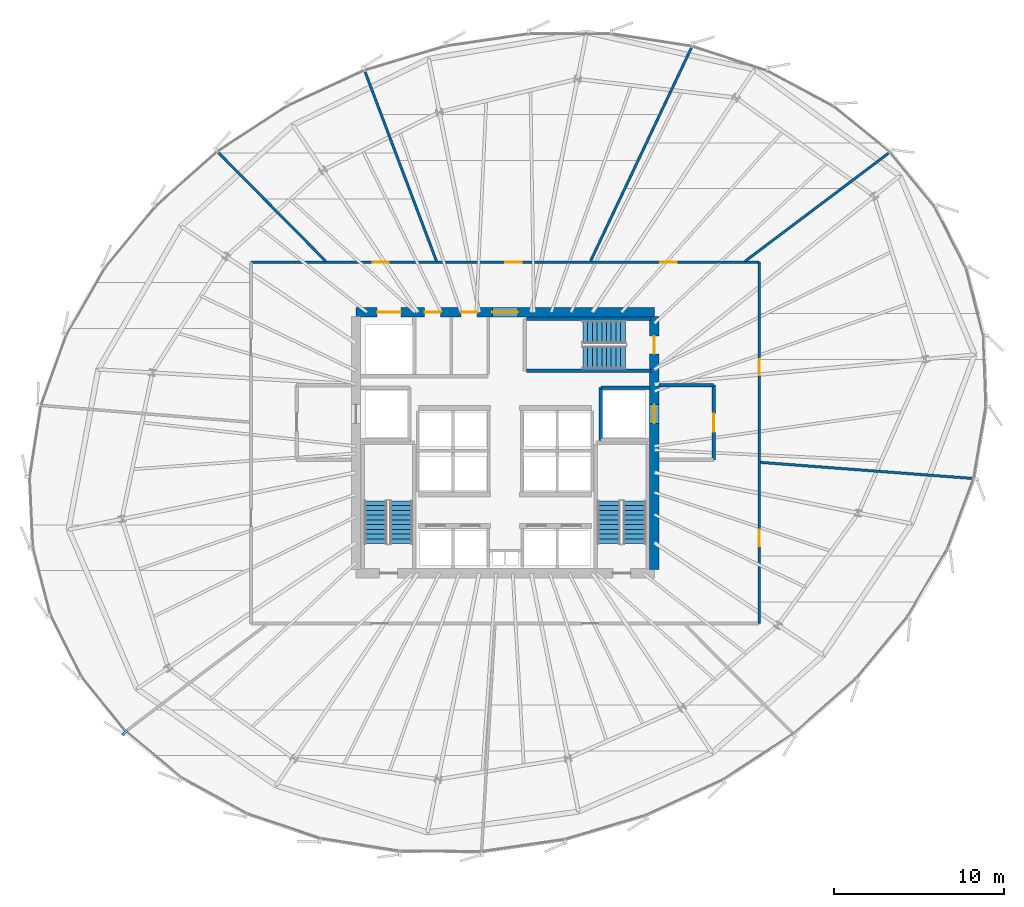
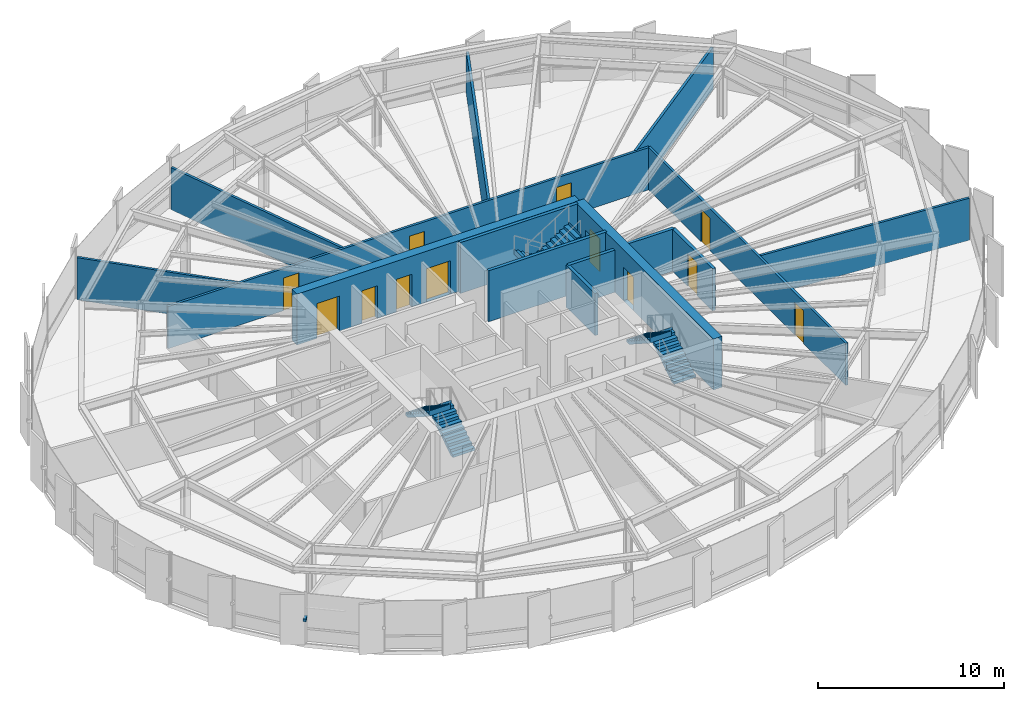
# One storey, part 28 of 33: 15 walls, 12 doors, 6 stair flights, 1 discrete accessory, 12 openings, 3 elements without a shape of their own.
"""IFC4 building model written with IfcOpenShell, lengths in metres."""

from ifc_helpers import new_model, si_unit, direction, frame, frame_2d, origin, origin_2d, place, context, subcontext, project, spatial, polyline, rectangle, outline, extrude, source, transform, mapped, material, layer, layer_set, type_object, element, fill, aggregate, save


model = new_model("IFC4")

# Units and contexts
model_context = context("Model", 3, precision=1e-05, world=origin(), true_north=direction((0.0, 1.0)))
body_context = subcontext(model_context, "Body", "Model", "MODEL_VIEW")
ifc_project = project(units=[si_unit("LENGTHUNIT", "METRE"), si_unit("AREAUNIT", "SQUARE_METRE"), si_unit("VOLUMEUNIT", "CUBIC_METRE"), si_unit("PLANEANGLEUNIT", "RADIAN"), si_unit("MASSUNIT", "GRAM", prefix="KILO"), si_unit("THERMODYNAMICTEMPERATUREUNIT", "KELVIN")], contexts=[model_context])

# Site, building, storey
site_placement = place(None, origin())
site = spatial("IfcSite", under=ifc_project, at=site_placement, CompositionType="ELEMENT")
building_placement = place(site_placement, origin())
building = spatial("IfcBuilding", under=site, at=building_placement, Name="Kethvar Cultural Tower", CompositionType="ELEMENT")
storey_placement = place(building_placement, frame((0.0, 0.0, 118.0)))
storey = spatial("IfcBuildingStorey", under=building, at=storey_placement, Name="L29", CompositionType="ELEMENT", Elevation=118.0)

# Wall, openings, doors
ifc_material_1 = material(Name="Concrete C60/75", Category="concrete")
ifc_layer_1 = layer(ifc_material_1, 0.550048828125, Name="Concrete C60/75", Category="concrete")
ifc_layer_set_1 = layer_set([ifc_layer_1], Name="Concrete C60/75 (550 mm)")
wall_type_1 = type_object("IfcWallType", Name="WL-CORE-550", PredefinedType="SHEAR", material=ifc_layer_set_1)
wall_1_placement = place(storey_placement, frame((55.60009765625, 35.5, 0.0), z_axis=(0.0, 0.0, 1.0), x_axis=(-1.0, 0.0, 0.0)))
wall_1 = element("IfcWall", 1, at=wall_1_placement, inside=storey, type_object=wall_type_1, Name="L29 Core Shear Wall N", PredefinedType="SHEAR", context=body_context, shape_type="SweptSolid", body=[
    extrude(rectangle(XDim=17.60009765625, YDim=0.550048828125, at=frame_2d((8.800048828125, 0.0))), origin(), (0.0, 0.0, 1.0), 3.35009765625),
])
opening_1_placement = place(wall_1_placement, frame((8.050048828125, 0.0, 0.0)))
opening_1 = element("IfcOpeningElement", 2, at=opening_1_placement, cuts=wall_1, Name="Opening D-L29-LN", PredefinedType="OPENING", context=body_context, shape_type="SweptSolid", body=[
    extrude(rectangle(XDim=1.5, YDim=2.199951171875, at=frame_2d((0.75, 1.10009765625))), frame((0.0, 0.284912109375, 0.0), z_axis=(0.0, -1.0, 0.0), x_axis=(1.0, 0.0, 0.0)), (0.0, 0.0, 1.0), 0.570068359375),
])
opening_2_placement = place(wall_1_placement, frame((14.949951171875, 0.0, 0.0)))
opening_2 = element("IfcOpeningElement", 3, at=opening_2_placement, cuts=wall_1, Name="Opening LD-G1", PredefinedType="OPENING", context=body_context, shape_type="SweptSolid", body=[
    extrude(rectangle(XDim=1.39990234375, YDim=2.300048828125, at=frame_2d((0.699951171875, 1.14990234375))), frame((0.0, 0.284912109375, 0.0), z_axis=(0.0, -1.0, 0.0), x_axis=(1.0, 0.0, 0.0)), (0.0, 0.0, 1.0), 0.570068359375),
])
opening_3_placement = place(wall_1_placement, frame((12.60009765625, 0.0, 0.0)))
opening_3 = element("IfcOpeningElement", 4, at=opening_3_placement, cuts=wall_1, Name="Opening D-L29-W1", PredefinedType="OPENING", context=body_context, shape_type="SweptSolid", body=[
    extrude(rectangle(XDim=0.949951171875, YDim=2.14990234375, at=frame_2d((0.47509765625, 1.074951171875))), frame((0.0, 0.284912109375, 0.0), z_axis=(0.0, -1.0, 0.0), x_axis=(1.0, 0.0, 0.0)), (0.0, 0.0, 1.0), 0.570068359375),
])
opening_4_placement = place(wall_1_placement, frame((10.449951171875, 0.0, 0.0)))
opening_4 = element("IfcOpeningElement", 5, at=opening_4_placement, cuts=wall_1, Name="Opening D-L29-W2", PredefinedType="OPENING", context=body_context, shape_type="SweptSolid", body=[
    extrude(rectangle(XDim=0.949951171875, YDim=2.14990234375, at=frame_2d((0.47509765625, 1.074951171875))), frame((0.0, 0.284912109375, 0.0), z_axis=(0.0, -1.0, 0.0), x_axis=(1.0, 0.0, 0.0)), (0.0, 0.0, 1.0), 0.570068359375),
])
ifc_material_2 = material(Name="Architectural Oak Timber", Category="wood")
door_type_1 = type_object("IfcDoorType", Name="DR-DBL-FD60-1500", OperationType="DOUBLE_DOOR_SINGLE_SWING", PredefinedType="DOOR", material=ifc_material_2)
shared_shape_1 = source(origin(), body_context, "Body", "SweptSolid", [
    extrude(rectangle(XDim=1.5, YDim=2.199951171875, at=frame_2d((0.75, 1.10009765625))), frame((0.0, 0.02490234375, 0.0), z_axis=(0.0, -1.0, 0.0), x_axis=(1.0, 0.0, 0.0)), (0.0, 0.0, 1.0), 0.050048828125),
])
door_1_placement = place(opening_1_placement, origin())
door_1 = element("IfcDoor", 6, at=door_1_placement, inside=storey, type_object=door_type_1, Name="L29 Lift Lobby Concourse Door", OperationType="DOUBLE_DOOR_SINGLE_SWING", OverallHeight=2.199951171875, OverallWidth=1.5, PredefinedType="DOOR", context=body_context, shape_type="MappedRepresentation", body=[
    mapped(shared_shape_1, transform((0.0, 0.0, 0.0), scale=1.0)),
])
fill(opening_1, door_1)
ifc_material_3 = material(Name="Steel S355J2", Category="steel")
door_type_2 = type_object("IfcDoorType", Name="DR-LIFT-SLIDE-1400", OperationType="NOTDEFINED", PredefinedType="DOOR", material=ifc_material_3)
shared_shape_2 = source(origin(), body_context, "Body", "SweptSolid", [
    extrude(rectangle(XDim=1.39990234375, YDim=2.300048828125, at=frame_2d((0.699951171875, 1.14990234375))), frame((0.0, 0.02490234375, 0.0), z_axis=(0.0, -1.0, 0.0), x_axis=(1.0, 0.0, 0.0)), (0.0, 0.0, 1.0), 0.050048828125),
])
door_2_placement = place(opening_2_placement, origin())
door_2 = element("IfcDoor", 7, at=door_2_placement, inside=storey, type_object=door_type_2, Name="L29 Goods Lift Landing Door", OperationType="SLIDING_TO_RIGHT", OverallHeight=2.300048828125, OverallWidth=1.39990234375, PredefinedType="DOOR", context=body_context, shape_type="MappedRepresentation", body=[
    mapped(shared_shape_2, transform((0.0, 0.0, 0.0), scale=1.0)),
])
fill(opening_2, door_2)
door_type_3 = type_object("IfcDoorType", Name="DR-FD30-950", OperationType="NOTDEFINED", PredefinedType="DOOR", material=ifc_material_2)
shared_shape_3 = source(origin(), body_context, "Body", "SweptSolid", [
    extrude(rectangle(XDim=0.949951171875, YDim=2.14990234375, at=frame_2d((0.47509765625, 1.074951171875))), frame((0.0, 0.02490234375, 0.0), z_axis=(0.0, -1.0, 0.0), x_axis=(1.0, 0.0, 0.0)), (0.0, 0.0, 1.0), 0.050048828125),
])
door_3_placement = place(opening_3_placement, origin())
door_3 = element("IfcDoor", 8, at=door_3_placement, inside=storey, type_object=door_type_3, Name="L29 Accessible Washroom Door", OperationType="SINGLE_SWING_LEFT", OverallHeight=2.14990234375, OverallWidth=0.949951171875, PredefinedType="DOOR", context=body_context, shape_type="MappedRepresentation", body=[
    mapped(shared_shape_3, transform((0.0, 0.0, 0.0), scale=1.0)),
])
fill(opening_3, door_3)
door_4_placement = place(opening_4_placement, origin())
door_4 = element("IfcDoor", 9, at=door_4_placement, inside=storey, type_object=door_type_3, Name="L29 Public Washroom Door", OperationType="SINGLE_SWING_RIGHT", OverallHeight=2.14990234375, OverallWidth=0.949951171875, PredefinedType="DOOR", context=body_context, shape_type="MappedRepresentation", body=[
    mapped(shared_shape_3, transform((0.0, 0.0, 0.0), scale=1.0)),
])
fill(opening_4, door_4)

wall_2_placement = place(storey_placement, frame((55.60009765625, 20.340087890625, 0.0), z_axis=(0.0, 0.0, 1.0), x_axis=(0.0, 1.0, 0.0)))
wall_2 = element("IfcWall", 10, at=wall_2_placement, inside=storey, type_object=wall_type_1, Name="L29 Core Shear Wall E", PredefinedType="SHEAR", context=body_context, shape_type="SweptSolid", body=[
    extrude(rectangle(XDim=14.919921875, YDim=0.550048828125, at=frame_2d((7.4599609375, 0.0))), origin(), (0.0, 0.0, 1.0), 3.35009765625),
])
opening_5_placement = place(wall_2_placement, frame((12.7099609375, 0.0, 0.0)))
opening_5 = element("IfcOpeningElement", 11, at=opening_5_placement, cuts=wall_2, Name="Opening D-L29-S3", PredefinedType="OPENING", context=body_context, shape_type="SweptSolid", body=[
    extrude(rectangle(XDim=1.050048828125, YDim=2.14990234375, at=frame_2d((0.52490234375, 1.074951171875))), frame((0.0, 0.284912109375, 0.0), z_axis=(0.0, -1.0, 0.0), x_axis=(1.0, 0.0, 0.0)), (0.0, 0.0, 1.0), 0.570068359375),
])
opening_6_placement = place(wall_2_placement, frame((8.610107421875, 0.0, 0.0)))
opening_6 = element("IfcOpeningElement", 12, at=opening_6_placement, cuts=wall_2, Name="Opening LD-2", PredefinedType="OPENING", context=body_context, shape_type="SweptSolid", body=[
    extrude(rectangle(XDim=1.10009765625, YDim=2.199951171875, at=frame_2d((0.550048828125, 1.10009765625))), frame((0.0, 0.284912109375, 0.0), z_axis=(0.0, -1.0, 0.0), x_axis=(1.0, 0.0, 0.0)), (0.0, 0.0, 1.0), 0.570068359375),
])
door_type_4 = type_object("IfcDoorType", Name="DR-FD60-1050", OperationType="NOTDEFINED", PredefinedType="DOOR", material=ifc_material_3)
shared_shape_4 = source(origin(), body_context, "Body", "SweptSolid", [
    extrude(rectangle(XDim=1.050048828125, YDim=2.14990234375, at=frame_2d((0.52490234375, 1.074951171875))), frame((0.0, 0.02490234375, 0.0), z_axis=(0.0, -1.0, 0.0), x_axis=(1.0, 0.0, 0.0)), (0.0, 0.0, 1.0), 0.050048828125),
])
door_5_placement = place(opening_5_placement, origin())
door_5 = element("IfcDoor", 13, at=door_5_placement, inside=storey, type_object=door_type_4, Name="L29 Exit Stair 3 Door", OperationType="SINGLE_SWING_LEFT", OverallHeight=2.14990234375, OverallWidth=1.050048828125, PredefinedType="DOOR", context=body_context, shape_type="MappedRepresentation", body=[
    mapped(shared_shape_4, transform((0.0, 0.0, 0.0), scale=1.0)),
])
fill(opening_5, door_5)
door_type_5 = type_object("IfcDoorType", Name="DR-LIFT-SLIDE-1100", OperationType="NOTDEFINED", PredefinedType="DOOR", material=ifc_material_3)
shared_shape_5 = source(origin(), body_context, "Body", "SweptSolid", [
    extrude(rectangle(XDim=1.10009765625, YDim=2.199951171875, at=frame_2d((0.550048828125, 1.10009765625))), frame((0.0, 0.02490234375, 0.0), z_axis=(0.0, -1.0, 0.0), x_axis=(1.0, 0.0, 0.0)), (0.0, 0.0, 1.0), 0.050048828125),
])
door_6_placement = place(opening_6_placement, origin())
door_6 = element("IfcDoor", 14, at=door_6_placement, inside=storey, type_object=door_type_5, Name="L29 Firefighting Lift Landing Door FFL-02", OperationType="SLIDING_TO_RIGHT", OverallHeight=2.199951171875, OverallWidth=1.10009765625, PredefinedType="DOOR", context=body_context, shape_type="MappedRepresentation", body=[
    mapped(shared_shape_5, transform((0.0, 0.0, 0.0), scale=1.0)),
])
fill(opening_6, door_6)

ifc_material_4 = material(Name="Gypsum Fireboard Partition")
ifc_layer_2 = layer(ifc_material_4, 0.14990234375, Name="Gypsum Fireboard Partition")
ifc_layer_set_2 = layer_set([ifc_layer_2], Name="Gypsum Fireboard Partition (150 mm)")
wall_type_2 = type_object("IfcWallType", Name="WL-FIRE-150", PredefinedType="PARTITIONING", material=ifc_layer_set_2)
wall_3_placement = place(storey_placement, frame((61.7900390625, 17.139892578125, 0.0), z_axis=(0.0, 0.0, 1.0), x_axis=(0.0, 1.0, 0.0)))
wall_3 = element("IfcWall", 15, at=wall_3_placement, inside=storey, type_object=wall_type_2, Name="L29 Corridor Rated Wall E", PredefinedType="PARTITIONING", context=body_context, shape_type="SweptSolid", body=[
    extrude(rectangle(XDim=21.320068359375, YDim=0.14990234375, at=frame_2d((10.66015625, 0.0))), origin(), (0.0, 0.0, 1.0), 2.77490234375),
])
opening_7_placement = place(wall_3_placement, frame((4.570556640625, 0.0, 0.0)))
opening_7 = element("IfcOpeningElement", 16, at=opening_7_placement, cuts=wall_3, Name="Opening D-L29-03", PredefinedType="OPENING", context=body_context, shape_type="SweptSolid", body=[
    extrude(rectangle(XDim=0.949951171875, YDim=2.14990234375, at=frame_2d((0.47509765625, 1.074951171875))), frame((0.0, 0.0849609375, 0.0), z_axis=(0.0, -1.0, 0.0), x_axis=(1.0, 0.0, 0.0)), (0.0, 0.0, 1.0), 0.169921875),
])
opening_8_placement = place(wall_3_placement, frame((14.650146484375, 0.0, 0.0)))
opening_8 = element("IfcOpeningElement", 17, at=opening_8_placement, cuts=wall_3, Name="Opening D-L29-04", PredefinedType="OPENING", context=body_context, shape_type="SweptSolid", body=[
    extrude(rectangle(XDim=0.949951171875, YDim=2.14990234375, at=frame_2d((0.47509765625, 1.074951171875))), frame((0.0, 0.0849609375, 0.0), z_axis=(0.0, -1.0, 0.0), x_axis=(1.0, 0.0, 0.0)), (0.0, 0.0, 1.0), 0.169921875),
])
door_7_placement = place(opening_7_placement, origin())
door_7 = element("IfcDoor", 18, at=door_7_placement, inside=storey, type_object=door_type_3, Name="L29 Poster Edition Shop 03 Door", OperationType="SINGLE_SWING_RIGHT", OverallHeight=2.14990234375, OverallWidth=0.949951171875, PredefinedType="DOOR", context=body_context, shape_type="MappedRepresentation", body=[
    mapped(shared_shape_3, transform((0.0, 0.0, 0.0), scale=1.0)),
])
fill(opening_7, door_7)
door_8_placement = place(opening_8_placement, origin())
door_8 = element("IfcDoor", 19, at=door_8_placement, inside=storey, type_object=door_type_3, Name="L29 Photography Media Salon 04 Door", OperationType="SINGLE_SWING_LEFT", OverallHeight=2.14990234375, OverallWidth=0.949951171875, PredefinedType="DOOR", context=body_context, shape_type="MappedRepresentation", body=[
    mapped(shared_shape_3, transform((0.0, 0.0, 0.0), scale=1.0)),
])
fill(opening_8, door_8)

wall_4_placement = place(storey_placement, frame((61.7900390625, 38.4599609375, 0.0), z_axis=(0.0, 0.0, 1.0), x_axis=(-1.0, 0.0, 0.0)))
wall_4 = element("IfcWall", 20, at=wall_4_placement, inside=storey, type_object=wall_type_2, Name="L29 Corridor Rated Wall N", PredefinedType="PARTITIONING", context=body_context, shape_type="SweptSolid", body=[
    extrude(rectangle(XDim=29.97998046875, YDim=0.14990234375, at=frame_2d((14.989990234375, 0.0))), origin(), (0.0, 0.0, 1.0), 2.77490234375),
])
opening_9_placement = place(wall_4_placement, frame((4.874755859375, 0.0, 0.0)))
opening_9 = element("IfcOpeningElement", 21, at=opening_9_placement, cuts=wall_4, Name="Opening D-L29-05", PredefinedType="OPENING", context=body_context, shape_type="SweptSolid", body=[
    extrude(rectangle(XDim=0.949951171875, YDim=2.14990234375, at=frame_2d((0.47509765625, 1.074951171875))), frame((0.0, 0.0849609375, 0.0), z_axis=(0.0, -1.0, 0.0), x_axis=(1.0, 0.0, 0.0)), (0.0, 0.0, 1.0), 0.169921875),
])
opening_10_placement = place(wall_4_placement, frame((14.01904296875, 0.0, 0.0)))
opening_10 = element("IfcOpeningElement", 22, at=opening_10_placement, cuts=wall_4, Name="Opening D-L29-06", PredefinedType="OPENING", context=body_context, shape_type="SweptSolid", body=[
    extrude(rectangle(XDim=0.949951171875, YDim=2.14990234375, at=frame_2d((0.47509765625, 1.074951171875))), frame((0.0, 0.0849609375, 0.0), z_axis=(0.0, -1.0, 0.0), x_axis=(1.0, 0.0, 0.0)), (0.0, 0.0, 1.0), 0.169921875),
])
opening_11_placement = place(wall_4_placement, frame((21.849609375, 0.0, 0.0)))
opening_11 = element("IfcOpeningElement", 23, at=opening_11_placement, cuts=wall_4, Name="Opening D-L29-07", PredefinedType="OPENING", context=body_context, shape_type="SweptSolid", body=[
    extrude(rectangle(XDim=0.949951171875, YDim=2.14990234375, at=frame_2d((0.47509765625, 1.074951171875))), frame((0.0, 0.0849609375, 0.0), z_axis=(0.0, -1.0, 0.0), x_axis=(1.0, 0.0, 0.0)), (0.0, 0.0, 1.0), 0.169921875),
])
door_9_placement = place(opening_9_placement, origin())
door_9 = element("IfcDoor", 24, at=door_9_placement, inside=storey, type_object=door_type_3, Name="L29 Architecture Quiet Library 05 Door", OperationType="SINGLE_SWING_RIGHT", OverallHeight=2.14990234375, OverallWidth=0.949951171875, PredefinedType="DOOR", context=body_context, shape_type="MappedRepresentation", body=[
    mapped(shared_shape_3, transform((0.0, 0.0, 0.0), scale=1.0)),
])
fill(opening_9, door_9)
door_10_placement = place(opening_10_placement, origin())
door_10 = element("IfcDoor", 25, at=door_10_placement, inside=storey, type_object=door_type_3, Name="L29 Conservation Design Workspace 06 Door", OperationType="SINGLE_SWING_LEFT", OverallHeight=2.14990234375, OverallWidth=0.949951171875, PredefinedType="DOOR", context=body_context, shape_type="MappedRepresentation", body=[
    mapped(shared_shape_3, transform((0.0, 0.0, 0.0), scale=1.0)),
])
fill(opening_10, door_10)
door_11_placement = place(opening_11_placement, origin())
door_11 = element("IfcDoor", 26, at=door_11_placement, inside=storey, type_object=door_type_3, Name="L29 Records Closet 07 Door", OperationType="SINGLE_SWING_RIGHT", OverallHeight=2.14990234375, OverallWidth=0.949951171875, PredefinedType="DOOR", context=body_context, shape_type="MappedRepresentation", body=[
    mapped(shared_shape_3, transform((0.0, 0.0, 0.0), scale=1.0)),
])
fill(opening_11, door_11)

# Walls
ifc_material_5 = material(Name="Concrete C40/50", Category="concrete")
ifc_layer_3 = layer(ifc_material_5, 0.199951171875, Name="Concrete C40/50", Category="concrete")
ifc_layer_set_3 = layer_set([ifc_layer_3], Name="Concrete C40/50 (200 mm)")
wall_type_3 = type_object("IfcWallType", Name="WL-FIRE-200", PredefinedType="PARTITIONING", material=ifc_layer_set_3)
wall_5_placement = place(storey_placement, frame((52.449951171875, 27.949951171875, 0.0), z_axis=(0.0, 0.0, 1.0), x_axis=(0.0, 1.0, 0.0)))
element("IfcWall", 27, at=wall_5_placement, inside=storey, type_object=wall_type_3, Name="L29 FFL-02 Shaft Inner Wall", PredefinedType="PARTITIONING", context=body_context, shape_type="SweptSolid", body=[
    extrude(rectangle(XDim=3.10009765625, YDim=0.199951171875, at=frame_2d((1.550048828125, 0.0))), origin(), (0.0, 0.0, 1.0), 2.77490234375),
])
wall_6_placement = place(storey_placement, frame((52.449951171875, 31.050048828125, 0.0), z_axis=(0.0, 0.0, 1.0), x_axis=(1.0, 0.0, 0.0)))
element("IfcWall", 28, at=wall_6_placement, inside=storey, type_object=wall_type_3, Name="L29 FFL-02 Shaft North Wall", PredefinedType="PARTITIONING", context=body_context, shape_type="SweptSolid", body=[
    extrude(rectangle(XDim=2.864990234375, YDim=0.199951171875, at=frame_2d((1.4326171875, 0.0))), origin(), (0.0, 0.0, 1.0), 2.77490234375),
])

# Wall, opening, door
wall_7_placement = place(storey_placement, frame((59.10009765625, 26.800048828125, 0.0), z_axis=(0.0, 0.0, 1.0), x_axis=(0.0, 1.0, 0.0)))
wall_7 = element("IfcWall", 29, at=wall_7_placement, inside=storey, type_object=wall_type_3, Name="L29 Firefighting Lobby 2 Wall", PredefinedType="PARTITIONING", context=body_context, shape_type="SweptSolid", body=[
    extrude(rectangle(XDim=4.39990234375, YDim=0.199951171875, at=frame_2d((2.199951171875, 0.0))), origin(), (0.0, 0.0, 1.0), 2.77490234375),
])
opening_12_placement = place(wall_7_placement, frame((1.64990234375, 0.0, 0.0)))
opening_12 = element("IfcOpeningElement", 30, at=opening_12_placement, cuts=wall_7, Name="Opening D-L29-F2", PredefinedType="OPENING", context=body_context, shape_type="SweptSolid", body=[
    extrude(rectangle(XDim=1.050048828125, YDim=2.14990234375, at=frame_2d((0.52490234375, 1.074951171875))), frame((0.0, 0.10986328125, 0.0), z_axis=(0.0, -1.0, 0.0), x_axis=(1.0, 0.0, 0.0)), (0.0, 0.0, 1.0), 0.219970703125),
])
door_12_placement = place(opening_12_placement, origin())
door_12 = element("IfcDoor", 31, at=door_12_placement, inside=storey, type_object=door_type_4, Name="L29 Firefighting Lobby 2 Fire Door", OperationType="SINGLE_SWING_LEFT", OverallHeight=2.14990234375, OverallWidth=1.050048828125, PredefinedType="DOOR", context=body_context, shape_type="MappedRepresentation", body=[
    mapped(shared_shape_4, transform((0.0, 0.0, 0.0), scale=1.0)),
])
fill(opening_12, door_12)

# Walls
wall_8_placement = place(storey_placement, frame((55.885009765625, 31.199951171875, 0.0), z_axis=(0.0, 0.0, 1.0), x_axis=(1.0, 0.0, 0.0)))
element("IfcWall", 32, at=wall_8_placement, inside=storey, type_object=wall_type_3, Name="L29 FF Lobby 2 North Wall", PredefinedType="PARTITIONING", context=body_context, shape_type="SweptSolid", body=[
    extrude(rectangle(XDim=3.215087890625, YDim=0.199951171875, at=frame_2d((1.607421875, 0.0))), origin(), (0.0, 0.0, 1.0), 2.77490234375),
])
ifc_material_6 = material(Name="Gypsum Acoustic Partition")
ifc_layer_4 = layer(ifc_material_6, 0.14990234375, Name="Gypsum Acoustic Partition")
ifc_layer_set_4 = layer_set([ifc_layer_4], Name="Gypsum Acoustic Partition (150 mm)")
wall_type_4 = type_object("IfcWallType", Name="WL-PART-150", PredefinedType="PARTITIONING", material=ifc_layer_set_4)
wall_9_placement = place(storey_placement, frame((61.869873046875, 26.645263671875, 0.0), z_axis=(0.0, 0.0, 1.0), x_axis=(0.997139631177, -0.075581452335, 0.0)))
element("IfcWall", 33, at=wall_9_placement, inside=storey, type_object=wall_type_4, Name="L29 Radial Partition Wall 04", PredefinedType="PARTITIONING", context=body_context, shape_type="SweptSolid", body=[
    extrude(rectangle(XDim=12.490966796875, YDim=0.14990234375, at=frame_2d((6.24560546875, 0.0))), origin(), (0.0, 0.0, 1.0), 2.77490234375),
])
wall_10_placement = place(storey_placement, frame((60.9501953125, 38.508056640625, 0.0), z_axis=(0.0, 0.0, 1.0), x_axis=(0.798949900746, 0.60139758571, 0.0)))
element("IfcWall", 34, at=wall_10_placement, inside=storey, type_object=wall_type_4, Name="L29 Radial Partition Wall 05", PredefinedType="PARTITIONING", context=body_context, shape_type="SweptSolid", body=[
    extrude(rectangle(XDim=10.586181640625, YDim=0.14990234375, at=frame_2d((5.29296875, 0.0))), origin(), (0.0, 0.0, 1.0), 2.77490234375),
])
wall_11_placement = place(storey_placement, frame((51.843994140625, 38.5322265625, 0.0), z_axis=(0.0, 0.0, 1.0), x_axis=(0.427420913061, 0.904052743526, 0.0)))
element("IfcWall", 35, at=wall_11_placement, inside=storey, type_object=wall_type_4, Name="L29 Radial Partition Wall 06", PredefinedType="PARTITIONING", context=body_context, shape_type="SweptSolid", body=[
    extrude(rectangle(XDim=13.881103515625, YDim=0.14990234375, at=frame_2d((6.9404296875, 0.0))), origin(), (0.0, 0.0, 1.0), 2.77490234375),
])
wall_12_placement = place(storey_placement, frame((42.74365234375, 38.534912109375, 0.0), z_axis=(0.0, 0.0, 1.0), x_axis=(-0.352834531536, 0.935685734291, 0.0)))
element("IfcWall", 36, at=wall_12_placement, inside=storey, type_object=wall_type_4, Name="L29 Radial Partition Wall 07", PredefinedType="PARTITIONING", context=body_context, shape_type="SweptSolid", body=[
    extrude(rectangle(XDim=11.895263671875, YDim=0.14990234375, at=frame_2d((5.94775390625, 0.0))), origin(), (0.0, 0.0, 1.0), 2.77490234375),
])
wall_13_placement = place(storey_placement, frame((36.216552734375, 38.516845703125, 0.0), z_axis=(0.0, 0.0, 1.0), x_axis=(-0.703123175396, 0.711068070033, 0.0)))
element("IfcWall", 37, at=wall_13_placement, inside=storey, type_object=wall_type_4, Name="L29 Radial Partition Wall 08", PredefinedType="PARTITIONING", context=body_context, shape_type="SweptSolid", body=[
    extrude(rectangle(XDim=8.972900390625, YDim=0.14990234375, at=frame_2d((4.486328125, 0.0))), origin(), (0.0, 0.0, 1.0), 2.77490234375),
])
ifc_material_7 = material(Name="Concrete C50/60", Category="concrete")
ifc_layer_5 = layer(ifc_material_7, 0.199951171875, Name="Concrete C50/60", Category="concrete")
ifc_layer_set_5 = layer_set([ifc_layer_5], Name="Concrete C50/60 (200 mm)")
wall_type_5 = type_object("IfcWallType", Name="WL-STSHAFT-200", PredefinedType="SHEAR", material=ifc_layer_set_5)
for number, where, z_axis, x_axis, name in (
    (38, (48.050048828125, 35.110107421875, 0.0), (0.0, 0.0, 1.0), (1.0, 0.0, 0.0), "L29 ST-03 Stair Shaft Wall LEFT"),
    (39, (55.39990234375, 32.050048828125, 0.0), (0.0, 0.0, 1.0), (-1.0, 0.0, 0.0), "L29 ST-03 Stair Shaft Wall RIGHT"),
):
    element("IfcWall", number, at=place(storey_placement, frame(where, z_axis=z_axis, x_axis=x_axis)), inside=storey, type_object=wall_type_5, Name=name, PredefinedType="SHEAR", context=body_context, shape_type="SweptSolid", body=[
        extrude(rectangle(XDim=7.349853515625, YDim=0.199951171875, at=frame_2d((3.6748046875, 0.0))), origin(), (0.0, 0.0, 1.0), 3.35009765625),
    ])

# Stair, stair flights
stair_type = type_object("IfcStairType", Name="ST-DOGLEG-135", PredefinedType="HALF_TURN_STAIR", material=ifc_material_5)
stair_1_placement = place(storey_placement, origin())
stair_1 = element("IfcStair", 40, at=stair_1_placement, inside=storey, type_object=stair_type, Name="L29 Core Exit Stair 1", PredefinedType="HALF_TURN_STAIR")
stair_flight_type = type_object("IfcStairFlightType", Name="FL-STRAIGHT-135", PredefinedType="STRAIGHT", material=ifc_material_5)
stair_flight_1_placement = place(storey_placement, frame((40.675048828125, 21.85009765625, 0.0), z_axis=(0.0, 0.0, 1.0), x_axis=(0.0, 1.0, 0.0)))
stair_flight_1 = element("IfcStairFlight", 41, at=stair_flight_1_placement, type_object=stair_flight_type, Name="ST-01 flight 1", NumberOfRisers=10, NumberOfTreads=9, PredefinedType="STRAIGHT", RiserHeight=0.18, TreadLength=0.28, context=body_context, shape_type="SweptSolid", body=[
    extrude(outline(polyline([(-0.0009765625, -0.0009765625), (-0.0009765625, 0.179931640625), (0.280029296875, 0.179931640625), (0.280029296875, 0.360107421875), (0.56005859375, 0.360107421875), (0.56005859375, 0.5400390625), (0.840087890625, 0.5400390625), (0.840087890625, 0.719970703125), (1.1201171875, 0.719970703125), (1.1201171875, 0.89990234375), (1.39990234375, 0.89990234375), (1.39990234375, 1.080078125), (1.679931640625, 1.080078125), (1.679931640625, 1.260009765625), (1.9599609375, 1.260009765625), (1.9599609375, 1.43994140625), (2.239990234375, 1.43994140625), (2.239990234375, 1.6201171875), (2.52001953125, 1.6201171875), (2.52001953125, 1.800048828125), (2.52099609375, 1.800048828125), (2.52099609375, 1.44189453125), (0.277099609375, 0.0), (0.0, -0.0009765625), (-0.0009765625, -0.0009765625)])), frame((0.0, 0.675048828125, 0.0), z_axis=(0.0, -1.0, 0.0), x_axis=(1.0, 0.0, 0.0)), (0.0, 0.0, 1.0), 1.35009765625),
])
stair_flight_2_placement = place(storey_placement, frame((39.1650390625, 24.3701171875, 1.800048828125), z_axis=(0.0, 0.0, 1.0), x_axis=(0.0, -1.0, 0.0)))
stair_flight_2 = element("IfcStairFlight", 42, at=stair_flight_2_placement, type_object=stair_flight_type, Name="ST-01 flight 2", NumberOfRisers=10, NumberOfTreads=9, PredefinedType="STRAIGHT", RiserHeight=0.18, TreadLength=0.28, context=body_context, shape_type="SweptSolid", body=[
    extrude(outline(polyline([(-0.0009765625, -0.0009765625), (-0.0009765625, 0.179931640625), (0.280029296875, 0.179931640625), (0.280029296875, 0.360107421875), (0.56005859375, 0.360107421875), (0.56005859375, 0.5400390625), (0.840087890625, 0.5400390625), (0.840087890625, 0.719970703125), (1.1201171875, 0.719970703125), (1.1201171875, 0.89990234375), (1.39990234375, 0.89990234375), (1.39990234375, 1.080078125), (1.679931640625, 1.080078125), (1.679931640625, 1.260009765625), (1.9599609375, 1.260009765625), (1.9599609375, 1.43994140625), (2.239990234375, 1.43994140625), (2.239990234375, 1.6201171875), (2.52001953125, 1.6201171875), (2.52001953125, 1.800048828125), (2.52099609375, 1.800048828125), (2.52099609375, 1.44189453125), (0.277099609375, 0.0), (0.0, -0.0009765625), (-0.0009765625, -0.0009765625)])), frame((0.0, 0.675048828125, 0.0), z_axis=(0.0, -1.0, 0.0), x_axis=(1.0, 0.0, 0.0)), (0.0, 0.0, 1.0), 1.35009765625),
])
aggregate(stair_1, [stair_flight_1, stair_flight_2])

stair_2_placement = place(storey_placement, origin())
stair_2 = element("IfcStair", 43, at=stair_2_placement, inside=storey, type_object=stair_type, Name="L29 Core Exit Stair 2", PredefinedType="HALF_TURN_STAIR")
stair_flight_3_placement = place(storey_placement, frame((54.43505859375, 21.85009765625, 0.0), z_axis=(0.0, 0.0, 1.0), x_axis=(0.0, 1.0, 0.0)))
stair_flight_3 = element("IfcStairFlight", 44, at=stair_flight_3_placement, type_object=stair_flight_type, Name="ST-02 flight 1", NumberOfRisers=10, NumberOfTreads=9, PredefinedType="STRAIGHT", RiserHeight=0.18, TreadLength=0.28, context=body_context, shape_type="SweptSolid", body=[
    extrude(outline(polyline([(-0.0009765625, -0.0009765625), (-0.0009765625, 0.179931640625), (0.280029296875, 0.179931640625), (0.280029296875, 0.360107421875), (0.56005859375, 0.360107421875), (0.56005859375, 0.5400390625), (0.840087890625, 0.5400390625), (0.840087890625, 0.719970703125), (1.1201171875, 0.719970703125), (1.1201171875, 0.89990234375), (1.39990234375, 0.89990234375), (1.39990234375, 1.080078125), (1.679931640625, 1.080078125), (1.679931640625, 1.260009765625), (1.9599609375, 1.260009765625), (1.9599609375, 1.43994140625), (2.239990234375, 1.43994140625), (2.239990234375, 1.6201171875), (2.52001953125, 1.6201171875), (2.52001953125, 1.800048828125), (2.52099609375, 1.800048828125), (2.52099609375, 1.44189453125), (0.277099609375, 0.0), (0.0, -0.0009765625), (-0.0009765625, -0.0009765625)])), frame((0.0, 0.675048828125, 0.0), z_axis=(0.0, -1.0, 0.0), x_axis=(1.0, 0.0, 0.0)), (0.0, 0.0, 1.0), 1.35009765625),
])
stair_flight_4_placement = place(storey_placement, frame((52.925048828125, 24.3701171875, 1.800048828125), z_axis=(0.0, 0.0, 1.0), x_axis=(0.0, -1.0, 0.0)))
stair_flight_4 = element("IfcStairFlight", 45, at=stair_flight_4_placement, type_object=stair_flight_type, Name="ST-02 flight 2", NumberOfRisers=10, NumberOfTreads=9, PredefinedType="STRAIGHT", RiserHeight=0.18, TreadLength=0.28, context=body_context, shape_type="SweptSolid", body=[
    extrude(outline(polyline([(-0.0009765625, -0.0009765625), (-0.0009765625, 0.179931640625), (0.280029296875, 0.179931640625), (0.280029296875, 0.360107421875), (0.56005859375, 0.360107421875), (0.56005859375, 0.5400390625), (0.840087890625, 0.5400390625), (0.840087890625, 0.719970703125), (1.1201171875, 0.719970703125), (1.1201171875, 0.89990234375), (1.39990234375, 0.89990234375), (1.39990234375, 1.080078125), (1.679931640625, 1.080078125), (1.679931640625, 1.260009765625), (1.9599609375, 1.260009765625), (1.9599609375, 1.43994140625), (2.239990234375, 1.43994140625), (2.239990234375, 1.6201171875), (2.52001953125, 1.6201171875), (2.52001953125, 1.800048828125), (2.52099609375, 1.800048828125), (2.52099609375, 1.44189453125), (0.277099609375, 0.0), (0.0, -0.0009765625), (-0.0009765625, -0.0009765625)])), frame((0.0, 0.675048828125, 0.0), z_axis=(0.0, -1.0, 0.0), x_axis=(1.0, 0.0, 0.0)), (0.0, 0.0, 1.0), 1.35009765625),
])
aggregate(stair_2, [stair_flight_3, stair_flight_4])

stair_3_placement = place(storey_placement, origin())
stair_3 = element("IfcStair", 46, at=stair_3_placement, inside=storey, type_object=stair_type, Name="L29 Core Exit Stair 3", PredefinedType="HALF_TURN_STAIR")
stair_flight_5_placement = place(storey_placement, frame((53.89990234375, 34.3349609375, 0.0), z_axis=(0.0, 0.0, 1.0), x_axis=(-1.0, 0.0, 0.0)))
stair_flight_5 = element("IfcStairFlight", 47, at=stair_flight_5_placement, type_object=stair_flight_type, Name="ST-03 flight 1", NumberOfRisers=10, NumberOfTreads=9, PredefinedType="STRAIGHT", RiserHeight=0.18, TreadLength=0.28, context=body_context, shape_type="SweptSolid", body=[
    extrude(outline(polyline([(-0.0009765625, -0.0009765625), (-0.0009765625, 0.179931640625), (0.280029296875, 0.179931640625), (0.280029296875, 0.360107421875), (0.56005859375, 0.360107421875), (0.56005859375, 0.5400390625), (0.840087890625, 0.5400390625), (0.840087890625, 0.719970703125), (1.1201171875, 0.719970703125), (1.1201171875, 0.89990234375), (1.39990234375, 0.89990234375), (1.39990234375, 1.080078125), (1.679931640625, 1.080078125), (1.679931640625, 1.260009765625), (1.9599609375, 1.260009765625), (1.9599609375, 1.43994140625), (2.239990234375, 1.43994140625), (2.239990234375, 1.6201171875), (2.52001953125, 1.6201171875), (2.52001953125, 1.800048828125), (2.52099609375, 1.800048828125), (2.52099609375, 1.44189453125), (0.277099609375, 0.0), (0.0, -0.0009765625), (-0.0009765625, -0.0009765625)])), frame((0.0, 0.675048828125, 0.0), z_axis=(0.0, -1.0, 0.0), x_axis=(1.0, 0.0, 0.0)), (0.0, 0.0, 1.0), 1.35009765625),
])
stair_flight_6_placement = place(storey_placement, frame((51.3798828125, 32.824951171875, 1.800048828125), z_axis=(0.0, 0.0, 1.0), x_axis=(1.0, 0.0, 0.0)))
stair_flight_6 = element("IfcStairFlight", 48, at=stair_flight_6_placement, type_object=stair_flight_type, Name="ST-03 flight 2", NumberOfRisers=10, NumberOfTreads=9, PredefinedType="STRAIGHT", RiserHeight=0.18, TreadLength=0.28, context=body_context, shape_type="SweptSolid", body=[
    extrude(outline(polyline([(-0.0009765625, -0.0009765625), (-0.0009765625, 0.179931640625), (0.280029296875, 0.179931640625), (0.280029296875, 0.360107421875), (0.56005859375, 0.360107421875), (0.56005859375, 0.5400390625), (0.840087890625, 0.5400390625), (0.840087890625, 0.719970703125), (1.1201171875, 0.719970703125), (1.1201171875, 0.89990234375), (1.39990234375, 0.89990234375), (1.39990234375, 1.080078125), (1.679931640625, 1.080078125), (1.679931640625, 1.260009765625), (1.9599609375, 1.260009765625), (1.9599609375, 1.43994140625), (2.239990234375, 1.43994140625), (2.239990234375, 1.6201171875), (2.52001953125, 1.6201171875), (2.52001953125, 1.800048828125), (2.52099609375, 1.800048828125), (2.52099609375, 1.44189453125), (0.277099609375, 0.0), (0.0, -0.0009765625), (-0.0009765625, -0.0009765625)])), frame((0.0, 0.675048828125, 0.0), z_axis=(0.0, -1.0, 0.0), x_axis=(1.0, 0.0, 0.0)), (0.0, 0.0, 1.0), 1.35009765625),
])
aggregate(stair_3, [stair_flight_5, stair_flight_6])

# Discrete accessory
discrete_accessory_type = type_object("IfcDiscreteAccessoryType", Name="Steel Fin Bracket BRK-01", PredefinedType="BRACKET", material=ifc_material_3)
shared_shape_6 = source(origin(), body_context, "Body", "SweptSolid", [
    extrude(rectangle(XDim=0.3798828125, YDim=0.159912109375, at=origin_2d()), origin(), (0.0, 0.0, 1.0), 0.179931640625),
])
discrete_accessory_placement = place(storey_placement, frame((24.349853515625, 10.686279296875, 1.5849609375), z_axis=(0.0, 0.0, 1.0), x_axis=(-0.638364873308, -0.769733907611, 0.0)))
element("IfcDiscreteAccessory", 49, at=discrete_accessory_placement, inside=storey, type_object=discrete_accessory_type, Name="L29 Terracotta Fin Bracket 4.3", PredefinedType="BRACKET", context=body_context, shape_type="MappedRepresentation", body=[
    mapped(shared_shape_6, transform((0.0, 0.0, 0.0), scale=1.0)),
])

save(model, "model.ifc")
